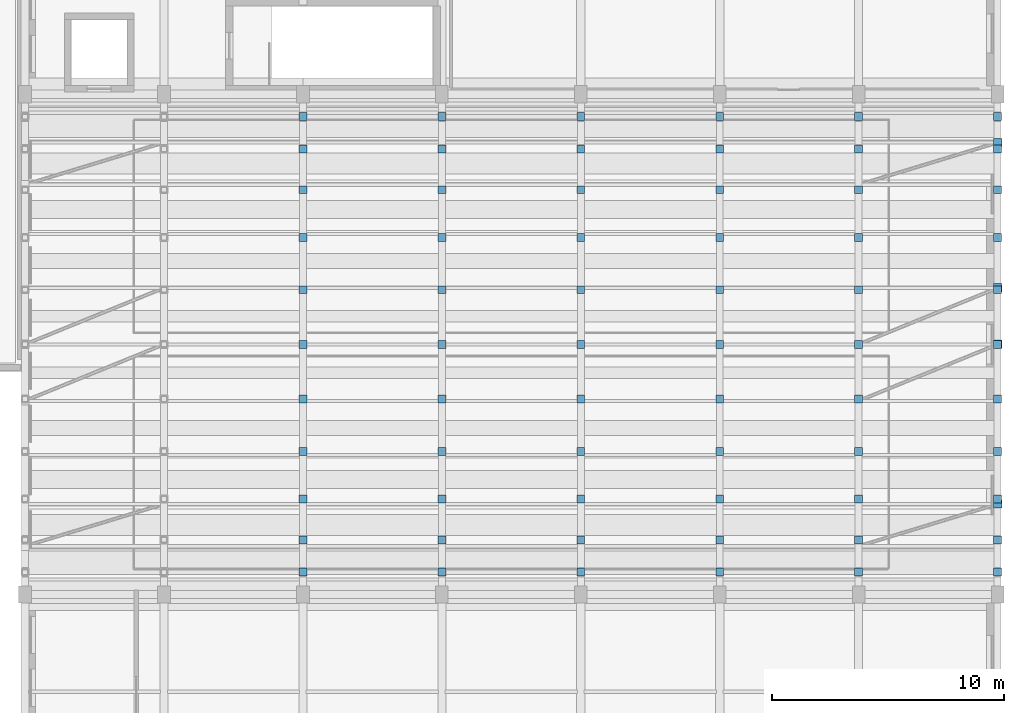
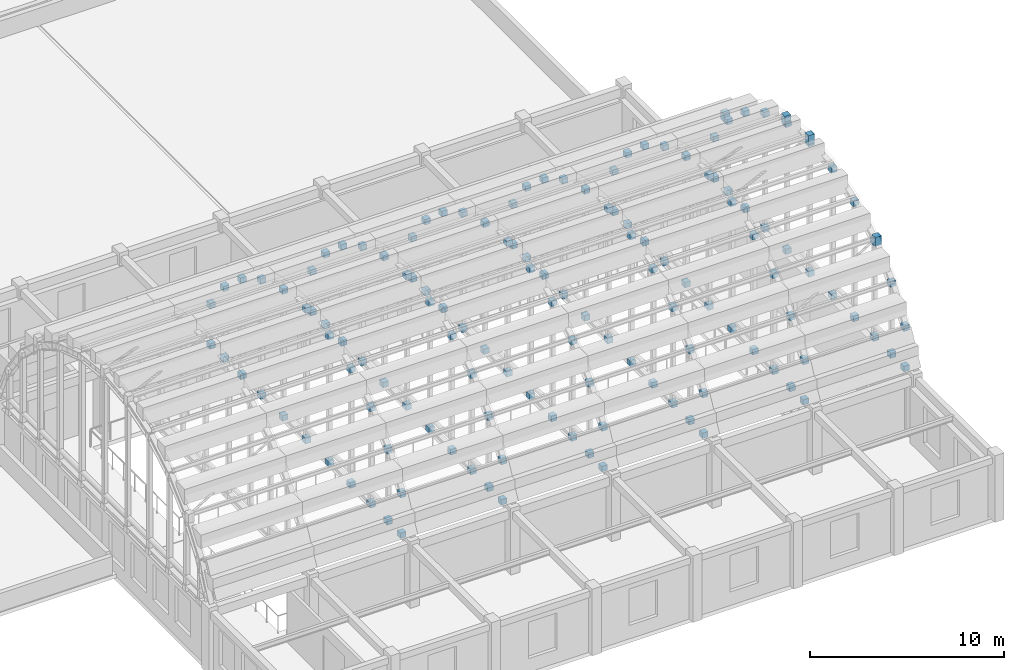
# One storey, part 33 of 46: 136 discrete accessories.
"""IFC4 building model written with IfcOpenShell, lengths in metres."""

from ifc_helpers import new_model, si_unit, direction, frame, origin, origin_2d, place, context, subcontext, project, spatial, rectangle, extrude, material, type_object, element, save


model = new_model("IFC4")

# Units and contexts
model_context = context("Model", 3, precision=1e-05, world=origin(), true_north=direction((0.0, 1.0)))
body_context = subcontext(model_context, "Body", "Model", "MODEL_VIEW")
ifc_project = project(units=[si_unit("LENGTHUNIT", "METRE"), si_unit("AREAUNIT", "SQUARE_METRE"), si_unit("VOLUMEUNIT", "CUBIC_METRE"), si_unit("PLANEANGLEUNIT", "RADIAN"), si_unit("MASSUNIT", "GRAM", prefix="KILO")], contexts=[model_context])

# Site, building, storey
site_placement = place(None, origin())
site = spatial("IfcSite", under=ifc_project, at=site_placement, CompositionType="ELEMENT")
building_placement = place(site_placement, origin())
building = spatial("IfcBuilding", under=site, at=building_placement, Name="Tarnavel Promenade Courthouse", CompositionType="ELEMENT")
storey_placement = place(building_placement, frame((0.0, 0.0, 14.39990234375)))
storey = spatial("IfcBuildingStorey", under=building, at=storey_placement, Name="L04", CompositionType="ELEMENT", Elevation=14.39990234375)

# Discrete accessories
ifc_material = material(Name="Steel S355J2", Category="steel")
discrete_accessory_type = type_object("IfcDiscreteAccessoryType", Name="Steel S355J2 Structural Connection Bracket", PredefinedType="BRACKET", material=ifc_material)
for number, where, z_axis, x_axis, name in (
    (1, (132.0, 38.1650390625, 3.64990234375), (0.0, 0.0, 1.0), (1.0, 0.0, 0.0), "V1 Vault Web Strut Node 03-01-B"),
    (2, (132.0, 38.1650390625, 6.19970703125), (0.0, 0.0, 1.0), (1.0, 0.0, 0.0), "V1 Vault Web Strut Node 03-01-T"),
    (3, (132.0, 39.56005859375, 3.64990234375), (0.0, 0.0, 1.0), (1.0, 0.0, 0.0), "V1 Vault Web Strut Node 03-02-B"),
    (4, (132.0, 39.56005859375, 8.12109375), (0.0, 0.0, 1.0), (1.0, 0.0, 0.0), "V1 Vault Web Strut Node 03-02-T"),
    (5, (132.0, 41.32421875, 3.64990234375), (0.0, 0.0, 1.0), (1.0, 0.0, 0.0), "V1 Vault Web Strut Node 03-03-B"),
    (6, (132.0, 41.32421875, 9.71044921875), (0.0, 0.0, 1.0), (1.0, 0.0, 0.0), "V1 Vault Web Strut Node 03-03-T"),
    (7, (132.0, 43.38037109375, 3.64990234375), (0.0, 0.0, 1.0), (1.0, 0.0, 0.0), "V1 Vault Web Strut Node 03-04-B"),
    (8, (132.0, 43.38037109375, 10.89794921875), (0.0, 0.0, 1.0), (1.0, 0.0, 0.0), "V1 Vault Web Strut Node 03-04-T"),
    (9, (132.0, 45.638671875, 3.64990234375), (0.0, 0.0, 1.0), (1.0, 0.0, 0.0), "V1 Vault Web Strut Node 03-05-B"),
    (10, (132.0, 45.638671875, 11.6318359375), (0.0, 0.0, 1.0), (1.0, 0.0, 0.0), "V1 Vault Web Strut Node 03-05-T"),
    (11, (132.0, 48.0, 3.64990234375), (0.0, 0.0, 1.0), (1.0, 0.0, 0.0), "V1 Vault Web Strut Node 03-06-B"),
    (12, (132.0, 48.0, 11.8798828125), (0.0, 0.0, 1.0), (1.0, 0.0, 0.0), "V1 Vault Web Strut Node 03-06-T"),
    (13, (132.0, 50.361328125, 3.64990234375), (0.0, 0.0, 1.0), (1.0, 0.0, 0.0), "V1 Vault Web Strut Node 03-07-B"),
    (14, (132.0, 50.361328125, 11.6318359375), (0.0, 0.0, 1.0), (1.0, 0.0, 0.0), "V1 Vault Web Strut Node 03-07-T"),
    (15, (132.0, 52.61962890625, 3.64990234375), (0.0, 0.0, 1.0), (1.0, 0.0, 0.0), "V1 Vault Web Strut Node 03-08-B"),
    (16, (132.0, 52.61962890625, 10.89794921875), (0.0, 0.0, 1.0), (1.0, 0.0, 0.0), "V1 Vault Web Strut Node 03-08-T"),
    (17, (132.0, 54.67578125, 3.64990234375), (0.0, 0.0, 1.0), (1.0, 0.0, 0.0), "V1 Vault Web Strut Node 03-09-B"),
    (18, (132.0, 54.67578125, 9.71044921875), (0.0, 0.0, 1.0), (1.0, 0.0, 0.0), "V1 Vault Web Strut Node 03-09-T"),
    (19, (132.0, 56.43994140625, 3.64990234375), (0.0, 0.0, 1.0), (1.0, 0.0, 0.0), "V1 Vault Web Strut Node 03-10-B"),
    (20, (132.0, 56.43994140625, 8.12109375), (0.0, 0.0, 1.0), (1.0, 0.0, 0.0), "V1 Vault Web Strut Node 03-10-T"),
    (21, (132.0, 57.8349609375, 3.64990234375), (0.0, 0.0, 1.0), (1.0, 0.0, 0.0), "V1 Vault Web Strut Node 03-11-B"),
    (22, (132.0, 57.8349609375, 6.19970703125), (0.0, 0.0, 1.0), (1.0, 0.0, 0.0), "V1 Vault Web Strut Node 03-11-T"),
    (23, (138.0, 38.1650390625, 3.64990234375), (0.0, 0.0, 1.0), (1.0, 0.0, 0.0), "V1 Vault Web Strut Node 04-01-B"),
    (24, (138.0, 38.1650390625, 6.19970703125), (0.0, 0.0, 1.0), (1.0, 0.0, 0.0), "V1 Vault Web Strut Node 04-01-T"),
    (25, (138.0, 39.56005859375, 3.64990234375), (0.0, 0.0, 1.0), (1.0, 0.0, 0.0), "V1 Vault Web Strut Node 04-02-B"),
    (26, (138.0, 39.56005859375, 8.12109375), (0.0, 0.0, 1.0), (1.0, 0.0, 0.0), "V1 Vault Web Strut Node 04-02-T"),
    (27, (138.0, 41.32421875, 3.64990234375), (0.0, 0.0, 1.0), (1.0, 0.0, 0.0), "V1 Vault Web Strut Node 04-03-B"),
    (28, (138.0, 41.32421875, 9.71044921875), (0.0, 0.0, 1.0), (1.0, 0.0, 0.0), "V1 Vault Web Strut Node 04-03-T"),
    (29, (138.0, 43.38037109375, 3.64990234375), (0.0, 0.0, 1.0), (1.0, 0.0, 0.0), "V1 Vault Web Strut Node 04-04-B"),
    (30, (138.0, 43.38037109375, 10.89794921875), (0.0, 0.0, 1.0), (1.0, 0.0, 0.0), "V1 Vault Web Strut Node 04-04-T"),
    (31, (138.0, 45.638671875, 3.64990234375), (0.0, 0.0, 1.0), (1.0, 0.0, 0.0), "V1 Vault Web Strut Node 04-05-B"),
    (32, (138.0, 45.638671875, 11.6318359375), (0.0, 0.0, 1.0), (1.0, 0.0, 0.0), "V1 Vault Web Strut Node 04-05-T"),
    (33, (138.0, 48.0, 3.64990234375), (0.0, 0.0, 1.0), (1.0, 0.0, 0.0), "V1 Vault Web Strut Node 04-06-B"),
    (34, (138.0, 48.0, 11.8798828125), (0.0, 0.0, 1.0), (1.0, 0.0, 0.0), "V1 Vault Web Strut Node 04-06-T"),
    (35, (138.0, 50.361328125, 3.64990234375), (0.0, 0.0, 1.0), (1.0, 0.0, 0.0), "V1 Vault Web Strut Node 04-07-B"),
    (36, (138.0, 50.361328125, 11.6318359375), (0.0, 0.0, 1.0), (1.0, 0.0, 0.0), "V1 Vault Web Strut Node 04-07-T"),
    (37, (138.0, 52.61962890625, 3.64990234375), (0.0, 0.0, 1.0), (1.0, 0.0, 0.0), "V1 Vault Web Strut Node 04-08-B"),
    (38, (138.0, 52.61962890625, 10.89794921875), (0.0, 0.0, 1.0), (1.0, 0.0, 0.0), "V1 Vault Web Strut Node 04-08-T"),
    (39, (138.0, 54.67578125, 3.64990234375), (0.0, 0.0, 1.0), (1.0, 0.0, 0.0), "V1 Vault Web Strut Node 04-09-B"),
    (40, (138.0, 54.67578125, 9.71044921875), (0.0, 0.0, 1.0), (1.0, 0.0, 0.0), "V1 Vault Web Strut Node 04-09-T"),
    (41, (138.0, 56.43994140625, 3.64990234375), (0.0, 0.0, 1.0), (1.0, 0.0, 0.0), "V1 Vault Web Strut Node 04-10-B"),
    (42, (138.0, 56.43994140625, 8.12109375), (0.0, 0.0, 1.0), (1.0, 0.0, 0.0), "V1 Vault Web Strut Node 04-10-T"),
    (43, (138.0, 57.8349609375, 3.64990234375), (0.0, 0.0, 1.0), (1.0, 0.0, 0.0), "V1 Vault Web Strut Node 04-11-B"),
    (44, (138.0, 57.8349609375, 6.19970703125), (0.0, 0.0, 1.0), (1.0, 0.0, 0.0), "V1 Vault Web Strut Node 04-11-T"),
    (45, (144.0, 38.1650390625, 3.64990234375), (0.0, 0.0, 1.0), (1.0, 0.0, 0.0), "V1 Vault Web Strut Node 05-01-B"),
    (46, (144.0, 38.1650390625, 6.19970703125), (0.0, 0.0, 1.0), (1.0, 0.0, 0.0), "V1 Vault Web Strut Node 05-01-T"),
    (47, (144.0, 39.56005859375, 3.64990234375), (0.0, 0.0, 1.0), (1.0, 0.0, 0.0), "V1 Vault Web Strut Node 05-02-B"),
    (48, (144.0, 39.56005859375, 8.12109375), (0.0, 0.0, 1.0), (1.0, 0.0, 0.0), "V1 Vault Web Strut Node 05-02-T"),
    (49, (144.0, 41.32421875, 3.64990234375), (0.0, 0.0, 1.0), (1.0, 0.0, 0.0), "V1 Vault Web Strut Node 05-03-B"),
    (50, (144.0, 41.32421875, 9.71044921875), (0.0, 0.0, 1.0), (1.0, 0.0, 0.0), "V1 Vault Web Strut Node 05-03-T"),
    (51, (144.0, 43.38037109375, 3.64990234375), (0.0, 0.0, 1.0), (1.0, 0.0, 0.0), "V1 Vault Web Strut Node 05-04-B"),
    (52, (144.0, 43.38037109375, 10.89794921875), (0.0, 0.0, 1.0), (1.0, 0.0, 0.0), "V1 Vault Web Strut Node 05-04-T"),
    (53, (144.0, 45.638671875, 3.64990234375), (0.0, 0.0, 1.0), (1.0, 0.0, 0.0), "V1 Vault Web Strut Node 05-05-B"),
    (54, (144.0, 45.638671875, 11.6318359375), (0.0, 0.0, 1.0), (1.0, 0.0, 0.0), "V1 Vault Web Strut Node 05-05-T"),
    (55, (144.0, 48.0, 3.64990234375), (0.0, 0.0, 1.0), (1.0, 0.0, 0.0), "V1 Vault Web Strut Node 05-06-B"),
    (56, (144.0, 48.0, 11.8798828125), (0.0, 0.0, 1.0), (1.0, 0.0, 0.0), "V1 Vault Web Strut Node 05-06-T"),
    (57, (144.0, 50.361328125, 3.64990234375), (0.0, 0.0, 1.0), (1.0, 0.0, 0.0), "V1 Vault Web Strut Node 05-07-B"),
    (58, (144.0, 50.361328125, 11.6318359375), (0.0, 0.0, 1.0), (1.0, 0.0, 0.0), "V1 Vault Web Strut Node 05-07-T"),
    (59, (144.0, 52.61962890625, 3.64990234375), (0.0, 0.0, 1.0), (1.0, 0.0, 0.0), "V1 Vault Web Strut Node 05-08-B"),
    (60, (144.0, 52.61962890625, 10.89794921875), (0.0, 0.0, 1.0), (1.0, 0.0, 0.0), "V1 Vault Web Strut Node 05-08-T"),
    (61, (144.0, 54.67578125, 3.64990234375), (0.0, 0.0, 1.0), (1.0, 0.0, 0.0), "V1 Vault Web Strut Node 05-09-B"),
    (62, (144.0, 54.67578125, 9.71044921875), (0.0, 0.0, 1.0), (1.0, 0.0, 0.0), "V1 Vault Web Strut Node 05-09-T"),
    (63, (144.0, 56.43994140625, 3.64990234375), (0.0, 0.0, 1.0), (1.0, 0.0, 0.0), "V1 Vault Web Strut Node 05-10-B"),
    (64, (144.0, 56.43994140625, 8.12109375), (0.0, 0.0, 1.0), (1.0, 0.0, 0.0), "V1 Vault Web Strut Node 05-10-T"),
    (65, (144.0, 57.8349609375, 3.64990234375), (0.0, 0.0, 1.0), (1.0, 0.0, 0.0), "V1 Vault Web Strut Node 05-11-B"),
    (66, (144.0, 57.8349609375, 6.19970703125), (0.0, 0.0, 1.0), (1.0, 0.0, 0.0), "V1 Vault Web Strut Node 05-11-T"),
    (67, (150.0, 38.1650390625, 3.64990234375), (0.0, 0.0, 1.0), (1.0, 0.0, 0.0), "V1 Vault Web Strut Node 06-01-B"),
    (68, (150.0, 38.1650390625, 6.19970703125), (0.0, 0.0, 1.0), (1.0, 0.0, 0.0), "V1 Vault Web Strut Node 06-01-T"),
    (69, (150.0, 39.56005859375, 3.64990234375), (0.0, 0.0, 1.0), (1.0, 0.0, 0.0), "V1 Vault Web Strut Node 06-02-B"),
    (70, (150.0, 39.56005859375, 8.12109375), (0.0, 0.0, 1.0), (1.0, 0.0, 0.0), "V1 Vault Web Strut Node 06-02-T"),
    (71, (150.0, 41.32421875, 3.64990234375), (0.0, 0.0, 1.0), (1.0, 0.0, 0.0), "V1 Vault Web Strut Node 06-03-B"),
    (72, (150.0, 41.32421875, 9.71044921875), (0.0, 0.0, 1.0), (1.0, 0.0, 0.0), "V1 Vault Web Strut Node 06-03-T"),
    (73, (150.0, 43.38037109375, 3.64990234375), (0.0, 0.0, 1.0), (1.0, 0.0, 0.0), "V1 Vault Web Strut Node 06-04-B"),
    (74, (150.0, 43.38037109375, 10.89794921875), (0.0, 0.0, 1.0), (1.0, 0.0, 0.0), "V1 Vault Web Strut Node 06-04-T"),
    (75, (150.0, 45.638671875, 3.64990234375), (0.0, 0.0, 1.0), (1.0, 0.0, 0.0), "V1 Vault Web Strut Node 06-05-B"),
    (76, (150.0, 45.638671875, 11.6318359375), (0.0, 0.0, 1.0), (1.0, 0.0, 0.0), "V1 Vault Web Strut Node 06-05-T"),
    (77, (150.0, 48.0, 3.64990234375), (0.0, 0.0, 1.0), (1.0, 0.0, 0.0), "V1 Vault Web Strut Node 06-06-B"),
    (78, (150.0, 48.0, 11.8798828125), (0.0, 0.0, 1.0), (1.0, 0.0, 0.0), "V1 Vault Web Strut Node 06-06-T"),
    (79, (150.0, 50.361328125, 3.64990234375), (0.0, 0.0, 1.0), (1.0, 0.0, 0.0), "V1 Vault Web Strut Node 06-07-B"),
    (80, (150.0, 50.361328125, 11.6318359375), (0.0, 0.0, 1.0), (1.0, 0.0, 0.0), "V1 Vault Web Strut Node 06-07-T"),
    (81, (150.0, 52.61962890625, 3.64990234375), (0.0, 0.0, 1.0), (1.0, 0.0, 0.0), "V1 Vault Web Strut Node 06-08-B"),
    (82, (150.0, 52.61962890625, 10.89794921875), (0.0, 0.0, 1.0), (1.0, 0.0, 0.0), "V1 Vault Web Strut Node 06-08-T"),
    (83, (150.0, 54.67578125, 3.64990234375), (0.0, 0.0, 1.0), (1.0, 0.0, 0.0), "V1 Vault Web Strut Node 06-09-B"),
    (84, (150.0, 54.67578125, 9.71044921875), (0.0, 0.0, 1.0), (1.0, 0.0, 0.0), "V1 Vault Web Strut Node 06-09-T"),
    (85, (150.0, 56.43994140625, 3.64990234375), (0.0, 0.0, 1.0), (1.0, 0.0, 0.0), "V1 Vault Web Strut Node 06-10-B"),
    (86, (150.0, 56.43994140625, 8.12109375), (0.0, 0.0, 1.0), (1.0, 0.0, 0.0), "V1 Vault Web Strut Node 06-10-T"),
    (87, (150.0, 57.8349609375, 3.64990234375), (0.0, 0.0, 1.0), (1.0, 0.0, 0.0), "V1 Vault Web Strut Node 06-11-B"),
    (88, (150.0, 57.8349609375, 6.19970703125), (0.0, 0.0, 1.0), (1.0, 0.0, 0.0), "V1 Vault Web Strut Node 06-11-T"),
    (89, (156.0, 38.1650390625, 3.64990234375), (0.0, 0.0, 1.0), (1.0, 0.0, 0.0), "V1 Vault Web Strut Node 07-01-B"),
    (90, (156.0, 38.1650390625, 6.19970703125), (0.0, 0.0, 1.0), (1.0, 0.0, 0.0), "V1 Vault Web Strut Node 07-01-T"),
    (91, (156.0, 39.56005859375, 3.64990234375), (0.0, 0.0, 1.0), (1.0, 0.0, 0.0), "V1 Vault Web Strut Node 07-02-B"),
    (92, (156.0, 39.56005859375, 8.12109375), (0.0, 0.0, 1.0), (1.0, 0.0, 0.0), "V1 Vault Web Strut Node 07-02-T"),
    (93, (156.0, 41.32421875, 3.64990234375), (0.0, 0.0, 1.0), (1.0, 0.0, 0.0), "V1 Vault Web Strut Node 07-03-B"),
    (94, (156.0, 41.32421875, 9.71044921875), (0.0, 0.0, 1.0), (1.0, 0.0, 0.0), "V1 Vault Web Strut Node 07-03-T"),
    (95, (156.0, 43.38037109375, 3.64990234375), (0.0, 0.0, 1.0), (1.0, 0.0, 0.0), "V1 Vault Web Strut Node 07-04-B"),
    (96, (156.0, 43.38037109375, 10.89794921875), (0.0, 0.0, 1.0), (1.0, 0.0, 0.0), "V1 Vault Web Strut Node 07-04-T"),
    (97, (156.0, 45.638671875, 3.64990234375), (0.0, 0.0, 1.0), (1.0, 0.0, 0.0), "V1 Vault Web Strut Node 07-05-B"),
    (98, (156.0, 45.638671875, 11.6318359375), (0.0, 0.0, 1.0), (1.0, 0.0, 0.0), "V1 Vault Web Strut Node 07-05-T"),
    (99, (156.0, 48.0, 3.64990234375), (0.0, 0.0, 1.0), (1.0, 0.0, 0.0), "V1 Vault Web Strut Node 07-06-B"),
    (100, (156.0, 48.0, 11.8798828125), (0.0, 0.0, 1.0), (1.0, 0.0, 0.0), "V1 Vault Web Strut Node 07-06-T"),
    (101, (156.0, 50.361328125, 3.64990234375), (0.0, 0.0, 1.0), (1.0, 0.0, 0.0), "V1 Vault Web Strut Node 07-07-B"),
    (102, (156.0, 50.361328125, 11.6318359375), (0.0, 0.0, 1.0), (1.0, 0.0, 0.0), "V1 Vault Web Strut Node 07-07-T"),
    (103, (156.0, 52.61962890625, 3.64990234375), (0.0, 0.0, 1.0), (1.0, 0.0, 0.0), "V1 Vault Web Strut Node 07-08-B"),
    (104, (156.0, 52.61962890625, 10.89794921875), (0.0, 0.0, 1.0), (1.0, 0.0, 0.0), "V1 Vault Web Strut Node 07-08-T"),
    (105, (156.0, 54.67578125, 3.64990234375), (0.0, 0.0, 1.0), (1.0, 0.0, 0.0), "V1 Vault Web Strut Node 07-09-B"),
    (106, (156.0, 54.67578125, 9.71044921875), (0.0, 0.0, 1.0), (1.0, 0.0, 0.0), "V1 Vault Web Strut Node 07-09-T"),
    (107, (156.0, 56.43994140625, 3.64990234375), (0.0, 0.0, 1.0), (1.0, 0.0, 0.0), "V1 Vault Web Strut Node 07-10-B"),
    (108, (156.0, 56.43994140625, 8.12109375), (0.0, 0.0, 1.0), (1.0, 0.0, 0.0), "V1 Vault Web Strut Node 07-10-T"),
    (109, (156.0, 57.8349609375, 3.64990234375), (0.0, 0.0, 1.0), (1.0, 0.0, 0.0), "V1 Vault Web Strut Node 07-11-B"),
    (110, (156.0, 57.8349609375, 6.19970703125), (0.0, 0.0, 1.0), (1.0, 0.0, 0.0), "V1 Vault Web Strut Node 07-11-T"),
    (111, (162.0, 38.1650390625, 3.64990234375), (0.0, 0.0, 1.0), (1.0, 0.0, 0.0), "V1 Vault Web Strut Node 08-01-B"),
    (112, (162.0, 38.1650390625, 6.19970703125), (0.0, 0.0, 1.0), (1.0, 0.0, 0.0), "V1 Vault Web Strut Node 08-01-T"),
    (113, (162.0, 39.56005859375, 3.64990234375), (0.0, 0.0, 1.0), (1.0, 0.0, 0.0), "V1 Vault Web Strut Node 08-02-B"),
    (114, (162.0, 39.56005859375, 8.12109375), (0.0, 0.0, 1.0), (1.0, 0.0, 0.0), "V1 Vault Web Strut Node 08-02-T"),
    (115, (162.0, 41.32421875, 3.64990234375), (0.0, 0.0, 1.0), (1.0, 0.0, 0.0), "V1 Vault Web Strut Node 08-03-B"),
    (116, (162.0, 41.32421875, 9.71044921875), (0.0, 0.0, 1.0), (1.0, 0.0, 0.0), "V1 Vault Web Strut Node 08-03-T"),
    (117, (162.0, 43.38037109375, 3.64990234375), (0.0, 0.0, 1.0), (1.0, 0.0, 0.0), "V1 Vault Web Strut Node 08-04-B"),
    (118, (162.0, 43.38037109375, 10.89794921875), (0.0, 0.0, 1.0), (1.0, 0.0, 0.0), "V1 Vault Web Strut Node 08-04-T"),
    (119, (162.0, 45.638671875, 3.64990234375), (0.0, 0.0, 1.0), (1.0, 0.0, 0.0), "V1 Vault Web Strut Node 08-05-B"),
    (120, (162.0, 45.638671875, 11.6318359375), (0.0, 0.0, 1.0), (1.0, 0.0, 0.0), "V1 Vault Web Strut Node 08-05-T"),
    (121, (162.0, 48.0, 3.64990234375), (0.0, 0.0, 1.0), (1.0, 0.0, 0.0), "V1 Vault Web Strut Node 08-06-B"),
    (122, (162.0, 48.0, 11.8798828125), (0.0, 0.0, 1.0), (1.0, 0.0, 0.0), "V1 Vault Web Strut Node 08-06-T"),
    (123, (162.0, 50.361328125, 3.64990234375), (0.0, 0.0, 1.0), (1.0, 0.0, 0.0), "V1 Vault Web Strut Node 08-07-B"),
    (124, (162.0, 50.361328125, 11.6318359375), (0.0, 0.0, 1.0), (1.0, 0.0, 0.0), "V1 Vault Web Strut Node 08-07-T"),
    (125, (162.0, 52.61962890625, 3.64990234375), (0.0, 0.0, 1.0), (1.0, 0.0, 0.0), "V1 Vault Web Strut Node 08-08-B"),
    (126, (162.0, 52.61962890625, 10.89794921875), (0.0, 0.0, 1.0), (1.0, 0.0, 0.0), "V1 Vault Web Strut Node 08-08-T"),
    (127, (162.0, 54.67578125, 3.64990234375), (0.0, 0.0, 1.0), (1.0, 0.0, 0.0), "V1 Vault Web Strut Node 08-09-B"),
    (128, (162.0, 54.67578125, 9.71044921875), (0.0, 0.0, 1.0), (1.0, 0.0, 0.0), "V1 Vault Web Strut Node 08-09-T"),
    (129, (162.0, 56.43994140625, 3.64990234375), (0.0, 0.0, 1.0), (1.0, 0.0, 0.0), "V1 Vault Web Strut Node 08-10-B"),
    (130, (162.0, 56.43994140625, 8.12109375), (0.0, 0.0, 1.0), (1.0, 0.0, 0.0), "V1 Vault Web Strut Node 08-10-T"),
    (131, (162.0, 57.8349609375, 3.64990234375), (0.0, 0.0, 1.0), (1.0, 0.0, 0.0), "V1 Vault Web Strut Node 08-11-B"),
    (132, (162.0, 57.8349609375, 6.19970703125), (0.0, 0.0, 1.0), (1.0, 0.0, 0.0), "V1 Vault Web Strut Node 08-11-T"),
):
    element("IfcDiscreteAccessory", number, at=place(storey_placement, frame(where, z_axis=z_axis, x_axis=x_axis)), inside=storey, type_object=discrete_accessory_type, Name=name, PredefinedType="BRACKET", context=body_context, shape_type="SweptSolid", body=[
        extrude(rectangle(XDim=0.340087890625, YDim=0.340087890625, at=origin_2d()), origin(), (0.0, 0.0, 1.0), 0.340087890625),
    ])
for number, where, z_axis, x_axis, name in (
    (133, (162.0, 41.106689453125, 9.779541015625), (0.0, 0.0, 1.0), (1.0, 0.0, 0.0), "V1 Vault Gable Brace Cap Node 07-02"),
    (134, (162.0, 48.0, 12.02001953125), (0.0, 0.0, 1.0), (1.0, 0.0, 0.0), "V1 Vault Gable Brace Cap Node 07-05"),
    (135, (162.0, 50.4384765625, 11.763671875), (0.0, 0.0, 1.0), (1.0, 0.0, 0.0), "V1 Vault Gable Brace Cap Node 07-06"),
    (136, (162.0, 56.715087890625, 8.138427734375), (0.0, 0.0, 1.0), (1.0, 0.0, 0.0), "V1 Vault Gable Brace Cap Node 07-09"),
):
    element("IfcDiscreteAccessory", number, at=place(storey_placement, frame(where, z_axis=z_axis, x_axis=x_axis)), inside=storey, type_object=discrete_accessory_type, Name=name, PredefinedType="BRACKET", context=body_context, shape_type="SweptSolid", body=[
        extrude(rectangle(XDim=0.360107421875, YDim=0.360107421875, at=origin_2d()), origin(), (0.0, 0.0, 1.0), 0.56005859375),
    ])

save(model, "model.ifc")
